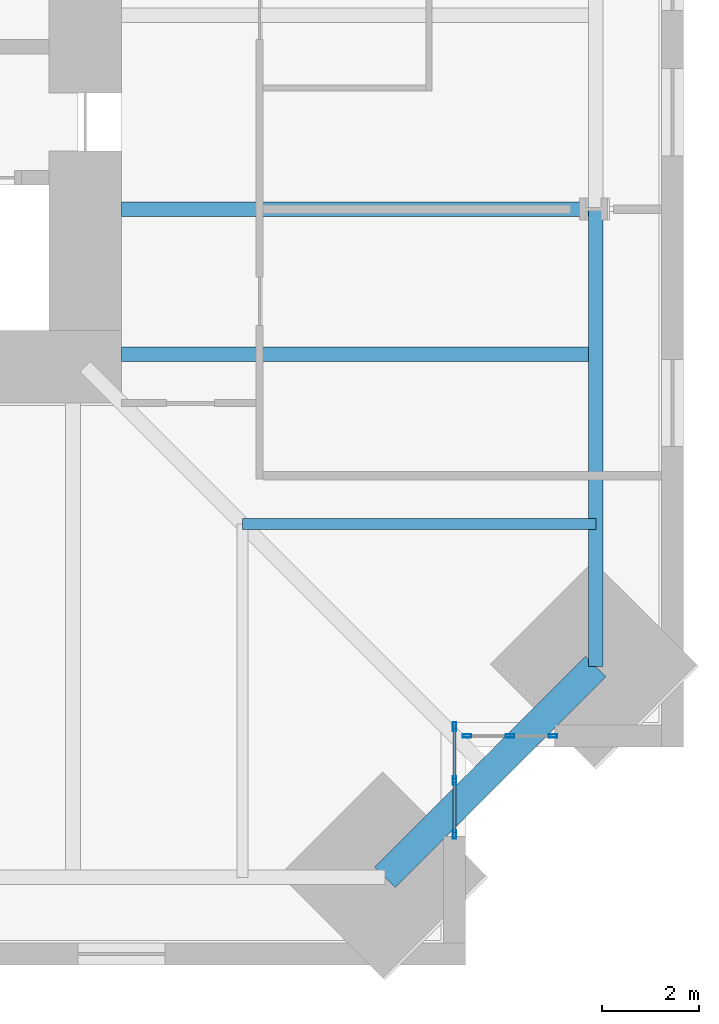
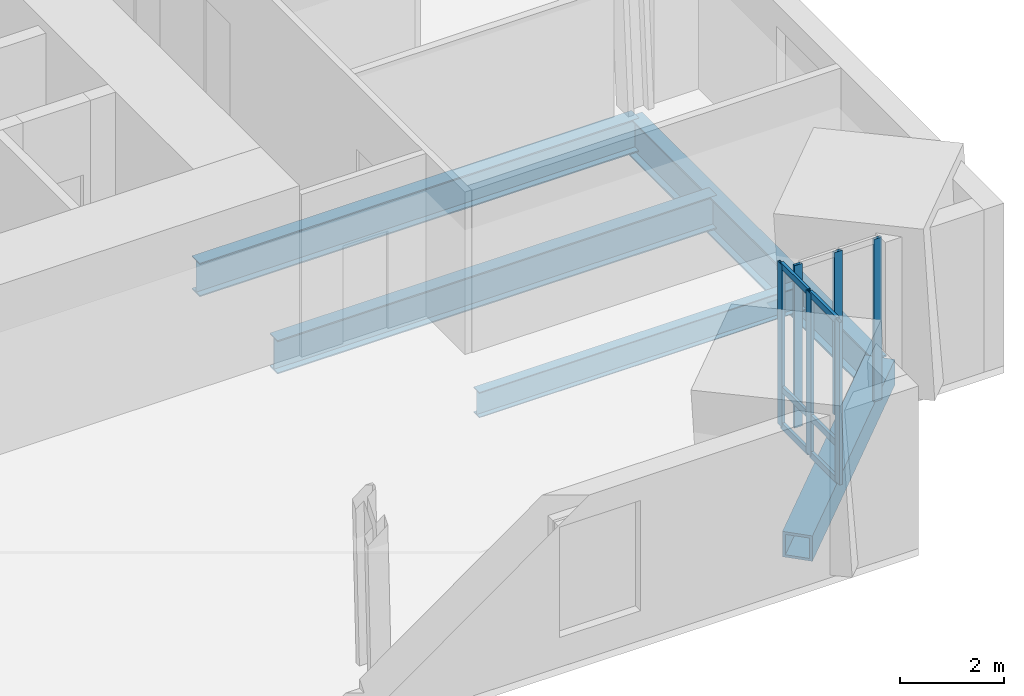
# One storey, part 4 of 15: 12 members, 5 beams, 2 elements without a shape of their own.
"""IFC4 building model written with IfcOpenShell, lengths in metres."""

import ifcopenshell
import ifcopenshell.guid

model = None  # the IFC model being written
_history = None  # IfcOwnerHistory: only IFC2X3 demands one
_inside = {}  # id of a spatial element -> (the spatial element, [elements in it])
_under = {}  # id of a project, library or spatial element -> (it, [spatial elements below it])
_declared = {}  # id of a project -> (the project, [libraries it declares])
_typed = {}  # id of a type object -> (the type object, [elements of that type])
_made_of = {}  # id of a material, layer set ... -> (it, [elements and type objects made of it])


def new_model(schema):
    """Start an empty IFC model of exactly this schema.

    Asked for "IFC4X3", IfcOpenShell would pick the latest addendum, in which some entities
    have other attributes; the version numbers below select the first issue.
    IFC2X3 requires an IfcOwnerHistory on every rooted entity: one is made here for all.
    """
    global model, _history
    if schema == "IFC4X3":
        model = ifcopenshell.file(schema_version=(4, 3, 0, 0))
    else:
        model = ifcopenshell.file(schema=schema)
    _inside.clear()
    _under.clear()
    _declared.clear()
    _typed.clear()
    _made_of.clear()
    _history = None
    if model.schema == "IFC2X3":
        org = make("IfcOrganization", Name="unknown")
        user = make(
            "IfcPersonAndOrganization",
            ThePerson=make("IfcPerson", FamilyName="unknown"),
            TheOrganization=org,
        )
        app = make(
            "IfcApplication",
            ApplicationDeveloper=org,
            Version="unknown",
            ApplicationFullName="unknown",
            ApplicationIdentifier="unknown",
        )
        _history = make(
            "IfcOwnerHistory",
            OwningUser=user,
            OwningApplication=app,
            ChangeAction="ADDED",
            CreationDate=0,
        )
    return model


def make(cls, **values):
    """One entity of the class cls with the attributes given. An attribute that is None is left unset."""
    return model.create_entity(
        cls, **{name: value for name, value in values.items() if value is not None}
    )


def rooted(cls, **values):
    """An entity with a GlobalId (a new one), such as an element, a storey or a relation."""
    return make(cls, GlobalId=ifcopenshell.guid.new(), OwnerHistory=_history, **values)


def si_unit(unit_type, name, prefix=None):
    """IfcSIUnit, for example si_unit("LENGTHUNIT", "METRE", prefix="MILLI")."""
    return make("IfcSIUnit", UnitType=unit_type, Prefix=prefix, Name=name)


def assignment(units):
    """IfcUnitAssignment: the units of a project."""
    return None if units is None else make("IfcUnitAssignment", Units=units)


def point(xyz):
    """IfcCartesianPoint."""
    return None if xyz is None else make("IfcCartesianPoint", Coordinates=xyz)


def direction(xyz):
    """IfcDirection."""
    return None if xyz is None else make("IfcDirection", DirectionRatios=xyz)


def frame(location, z_axis=None, x_axis=None):
    """IfcAxis2Placement3D, a coordinate frame: its origin and axes. An axis left out is left unset."""
    return make(
        "IfcAxis2Placement3D",
        Location=point(location),
        Axis=direction(z_axis),
        RefDirection=direction(x_axis),
    )


def frame_2d(location, x_axis=None):
    """IfcAxis2Placement2D, a coordinate frame in the plane: its origin and x axis."""
    return make(
        "IfcAxis2Placement2D", Location=point(location), RefDirection=direction(x_axis)
    )


def origin():
    """The frame at (0, 0, 0) with its axes left unset."""
    return frame((0.0, 0.0, 0.0))


def origin_2d():
    """The frame at (0, 0) in the plane with its x axis left unset."""
    return frame_2d((0.0, 0.0))


def place(relative_to, where):
    """IfcLocalPlacement: puts the frame where relative to a parent placement (None: the world)."""
    return make(
        "IfcLocalPlacement", PlacementRelTo=relative_to, RelativePlacement=where
    )


def context(
    kind, dimensions, precision=None, world=None, true_north=None, identifier=None
):
    """IfcGeometricRepresentationContext, for example the 3D "Model" context."""
    return make(
        "IfcGeometricRepresentationContext",
        ContextIdentifier=identifier,
        ContextType=kind,
        CoordinateSpaceDimension=dimensions,
        Precision=precision,
        WorldCoordinateSystem=world,
        TrueNorth=true_north,
    )


def subcontext(parent, identifier, kind, view, scale=None):
    """IfcGeometricRepresentationSubContext, for example "Body" below "Model"."""
    return make(
        "IfcGeometricRepresentationSubContext",
        ContextIdentifier=identifier,
        ContextType=kind,
        ParentContext=parent,
        TargetScale=scale,
        TargetView=view,
    )


def project(units=None, contexts=None):
    """IfcProject with its units and contexts."""
    return rooted(
        "IfcProject",
        Name="project",
        RepresentationContexts=contexts,
        UnitsInContext=assignment(units),
    )


def spatial(cls, under=None, at=None, **own):
    """A site, building, storey or space (cls), placed at a placement, below another one or the project."""
    s = rooted(cls, ObjectPlacement=at, **own)
    if under is not None:
        _under.setdefault(under.id(), (under, []))[1].append(s)
    return s


def profile(cls, at=None, kind="AREA", **sizes):
    """A parametric profile (cls). Its sizes go by their IFC names, for example OverallWidth=200.0."""
    return make(cls, ProfileType=kind, Position=at, **sizes)


def hollow_rectangle(**sizes):
    """IfcRectangleHollowProfileDef."""
    return profile("IfcRectangleHollowProfileDef", **sizes)


def i_section(**sizes):
    """IfcIShapeProfileDef."""
    return profile("IfcIShapeProfileDef", **sizes)


def extrude(swept, where, along, depth):
    """IfcExtrudedAreaSolid: the profile swept, set in the frame where, extruded along a direction by depth."""
    return make(
        "IfcExtrudedAreaSolid",
        SweptArea=swept,
        Position=where,
        ExtrudedDirection=direction(along),
        Depth=depth,
    )


def shape(context_of_items, identifier, shape_type, items):
    """IfcShapeRepresentation: the items that make up one representation, for example the "Body"."""
    return make(
        "IfcShapeRepresentation",
        ContextOfItems=context_of_items,
        RepresentationIdentifier=identifier,
        RepresentationType=shape_type,
        Items=items,
    )


def material(Name=None, Category=None):
    """IfcMaterial."""
    return make("IfcMaterial", Name=Name, Category=Category)


def material_profile(
    of_material, cross_section, Name=None, Category=None, Priority=None
):
    """IfcMaterialProfile: a cross section and its material."""
    return make(
        "IfcMaterialProfile",
        Name=Name,
        Material=of_material,
        Profile=cross_section,
        Priority=Priority,
        Category=Category,
    )


def profile_set(profiles, Name=None, composite=None):
    """IfcMaterialProfileSet."""
    return make(
        "IfcMaterialProfileSet",
        Name=Name,
        MaterialProfiles=profiles,
        CompositeProfile=composite,
    )


def made_of(thing, what):
    """Note that an element or type object is made of a material, layer set ...; save() writes the relation."""
    if what is not None:
        _made_of.setdefault(what.id(), (what, []))[1].append(thing)
    return thing


def type_object(cls, material=None, **own):
    """A type object (cls), such as IfcWallType, which elements share."""
    return made_of(rooted(cls, **own), material)


def element(
    cls,
    number,
    at=None,
    inside=None,
    cuts=None,
    type_object=None,
    material=None,
    context=None,
    identifier="Body",
    shape_type=None,
    held_by="IfcProductDefinitionShape",
    body=None,
    shapes=None,
    **own,
):
    """One element of the class cls, such as IfcWall. Its Tag is "e" and its number.

    at: its placement. inside: the storey or other place that contains it. cuts: it is an
    opening in that element (IfcRelVoidsElement). A single representation is given by context,
    identifier, shape_type and body (its items); several are given by shapes. held_by: the class
    of the entity that holds the representations. save() writes the other relations.
    """
    e = rooted(cls, Tag="e%d" % number, ObjectPlacement=at, **own)
    if body is not None:
        shapes = [shape(context, identifier, shape_type, body)]
    if shapes is not None:
        e.Representation = make(held_by, Representations=shapes)
    if inside is not None:
        _inside.setdefault(inside.id(), (inside, []))[1].append(e)
    if cuts is not None:
        rooted(
            "IfcRelVoidsElement", RelatingBuildingElement=cuts, RelatedOpeningElement=e
        )
    if type_object is not None:
        _typed.setdefault(type_object.id(), (type_object, []))[1].append(e)
    return made_of(e, material)


def aggregate(whole, parts):
    """IfcRelAggregates: a whole, such as a stair, and the parts it consists of."""
    return rooted("IfcRelAggregates", RelatingObject=whole, RelatedObjects=parts)


def save(model, path):
    """Write the relations noted so far, then the file.

    IfcRelAggregates (storeys below a building ...), IfcRelContainedInSpatialStructure (elements
    in a storey), IfcRelDefinesByType, IfcRelAssociatesMaterial and IfcRelDeclares: one each for
    every whole, place, type object, material and project.
    """
    for whole, parts in _under.values():
        aggregate(whole, parts)
    for where, things in _inside.values():
        rooted(
            "IfcRelContainedInSpatialStructure",
            RelatedElements=things,
            RelatingStructure=where,
        )
    for kind, things in _typed.values():
        rooted("IfcRelDefinesByType", RelatedObjects=things, RelatingType=kind)
    for what, things in _made_of.values():
        rooted("IfcRelAssociatesMaterial", RelatedObjects=things, RelatingMaterial=what)
    for by, libraries in _declared.values():
        rooted("IfcRelDeclares", RelatingContext=by, RelatedDefinitions=libraries)
    model.write(path)


model = new_model("IFC4")

# Units and contexts
model_context = context("Model", 3, precision=1e-05, world=origin(), true_north=direction((0.0, 1.0)))
body_context = subcontext(model_context, "Body", "Model", "MODEL_VIEW")
ifc_project = project(units=[si_unit("LENGTHUNIT", "METRE"), si_unit("AREAUNIT", "SQUARE_METRE"), si_unit("VOLUMEUNIT", "CUBIC_METRE"), si_unit("PLANEANGLEUNIT", "RADIAN"), si_unit("MASSUNIT", "GRAM", prefix="KILO")], contexts=[model_context])

# Site, building, storey
site_placement = place(None, origin())
site = spatial("IfcSite", under=ifc_project, at=site_placement, CompositionType="ELEMENT")
building_placement = place(site_placement, origin())
building = spatial("IfcBuilding", under=site, at=building_placement, Name="Peilmerk Tower", CompositionType="ELEMENT")
storey_placement = place(building_placement, frame((0.0, 0.0, 225.800048828125)))
storey = spatial("IfcBuildingStorey", under=building, at=storey_placement, Name="L49", CompositionType="ELEMENT", Elevation=225.800048828125)

# Beams
ifc_material_1 = material(Name="Steel S355", Category="steel")
ifc_material_profile_1 = material_profile(ifc_material_1, i_section(OverallWidth=0.219970703125, OverallDepth=0.60009765625, WebThickness=0.011962890625, FlangeThickness=0.01904296875, at=origin_2d()), Name="IPE 600")
ifc_profile_set_1 = profile_set([ifc_material_profile_1], Name="Steel S355")
beam_type_1 = type_object("IfcBeamType", Name="B10 IPE 600 floor beam", PredefinedType="BEAM", material=ifc_profile_set_1)
beam_1_placement = place(storey_placement, frame((14.5, -14.5, -0.469970703125), z_axis=(1.0, 0.0, 0.0), x_axis=(0.0, 1.0, 0.0)))
element("IfcBeam", 1, at=beam_1_placement, inside=storey, type_object=beam_type_1, Name="Floor beam L49", PredefinedType="BEAM", context=body_context, shape_type="SweptSolid", body=[
    extrude(i_section(OverallWidth=0.219970703125, OverallDepth=0.60009765625, WebThickness=0.011962890625, FlangeThickness=0.01904296875, at=origin_2d()), origin(), (0.0, 0.0, 1.0), 7.2919921875),
])
ifc_material_profile_2 = material_profile(ifc_material_1, i_section(OverallWidth=0.302001953125, OverallDepth=0.909912109375, WebThickness=0.02099609375, FlangeThickness=0.0400390625, at=origin_2d()), Name="HEM 900")
ifc_profile_set_2 = profile_set([ifc_material_profile_2], Name="Steel S355")
beam_type_2 = type_object("IfcBeamType", Name="B2 HEM 900 edge beam", PredefinedType="SPANDREL", material=ifc_profile_set_2)
beam_2_placement = place(storey_placement, frame((21.7919921875, -17.44189453125, -0.625), z_axis=(0.0, 1.0, 0.0), x_axis=(-1.0, 0.0, 0.0)))
element("IfcBeam", 2, at=beam_2_placement, inside=storey, type_object=beam_type_2, Name="Edge beam L49", PredefinedType="SPANDREL", context=body_context, shape_type="SweptSolid", body=[
    extrude(i_section(OverallWidth=0.302001953125, OverallDepth=0.909912109375, WebThickness=0.02099609375, FlangeThickness=0.0400390625, at=origin_2d()), origin(), (0.0, 0.0, 1.0), 9.44189453125),
])
ifc_material_2 = material(Name="Steel S460", Category="steel")
ifc_material_profile_3 = material_profile(ifc_material_2, hollow_rectangle(XDim=0.60009765625, YDim=0.60009765625, WallThickness=0.06005859375, at=origin_2d()), Name="BOX 600x600x60")
ifc_profile_set_3 = profile_set([ifc_material_profile_3], Name="Steel S460")
beam_type_3 = type_object("IfcBeamType", Name="B20 BOX 600x600x60 notch beam", PredefinedType="SPANDREL", material=ifc_profile_set_3)
beam_3_placement = place(storey_placement, frame((21.7919921875, -17.44189453125, -0.469970703125), z_axis=(-0.707106781187, -0.707106781187, 0.0), x_axis=(0.707106781187, -0.707106781187, 0.0)))
element("IfcBeam", 3, at=beam_3_placement, inside=storey, type_object=beam_type_3, Name="Notch beam L49", PredefinedType="SPANDREL", context=body_context, shape_type="SweptSolid", body=[
    extrude(hollow_rectangle(XDim=0.60009765625, YDim=0.60009765625, WallThickness=0.06005859375, at=origin_2d()), origin(), (0.0, 0.0, 1.0), 6.15185546875),
])
ifc_material_profile_4 = material_profile(ifc_material_1, i_section(OverallWidth=0.300048828125, OverallDepth=0.7900390625, WebThickness=0.014892578125, FlangeThickness=0.028076171875, at=origin_2d()), Name="HEA 800")
ifc_profile_set_4 = profile_set([ifc_material_profile_4], Name="Steel S355")
beam_type_4 = type_object("IfcBeamType", Name="B3 HEA 800 floor beam", PredefinedType="BEAM", material=ifc_profile_set_4)
for number, where, z_axis, x_axis, name in (
    (4, (12.0, -11.0, -0.56494140625), (1.0, 0.0, 0.0), (0.0, 1.0, 0.0), "Floor beam L49"),
    (5, (12.0, -8.0, -0.56494140625), (1.0, 0.0, 0.0), (0.0, 1.0, 0.0), "Floor beam L49"),
):
    element("IfcBeam", number, at=place(storey_placement, frame(where, z_axis=z_axis, x_axis=x_axis)), inside=storey, type_object=beam_type_4, Name=name, PredefinedType="BEAM", context=body_context, shape_type="SweptSolid", body=[
        extrude(i_section(OverallWidth=0.300048828125, OverallDepth=0.7900390625, WebThickness=0.014892578125, FlangeThickness=0.028076171875, at=origin_2d()), origin(), (0.0, 0.0, 1.0), 9.7919921875),
    ])

# Curtain wall, members
ifc_material_3 = material(Name="Aluminium stick curtain wall", Category="aluminium")
curtain_wall_type = type_object("IfcCurtainWallType", Name="CW4 stick curtain wall, 2250 module", PredefinedType="NOTDEFINED", material=ifc_material_3)
curtain_wall_1_placement = place(storey_placement, origin())
curtain_wall_1 = element("IfcCurtainWall", 6, at=curtain_wall_1_placement, inside=storey, type_object=curtain_wall_type, Name="Curtain wall CW4 SEA L49", PredefinedType="NOTDEFINED")
ifc_material_4 = material(Name="Aluminium EN AW-6063 T6", Category="aluminium")
ifc_material_profile_5 = material_profile(ifc_material_4, hollow_rectangle(XDim=0.06494140625, YDim=0.179931640625, WallThickness=0.0029296875, at=origin_2d()), Name="AL 180x65x3")
ifc_profile_set_5 = profile_set([ifc_material_profile_5], Name="Aluminium EN AW-6063 T6")
member_type_1 = type_object("IfcMemberType", Name="CW4-M AL 180x65x3 mullion", PredefinedType="MULLION", material=ifc_profile_set_5)
member_1_placement = place(storey_placement, frame((18.875, -18.6826171875, 0.0), z_axis=(0.0, 0.0, 1.0), x_axis=(1.0, 0.0, 0.0)))
member_1 = element("IfcMember", 7, at=member_1_placement, type_object=member_type_1, Name="CW4 mullion 1", PredefinedType="MULLION", context=body_context, shape_type="SweptSolid", body=[
    extrude(hollow_rectangle(XDim=0.06494140625, YDim=0.179931640625, WallThickness=0.0029296875, at=origin_2d()), origin(), (0.0, 0.0, 1.0), 3.829833984375),
])
member_2_placement = place(storey_placement, frame((18.875, -19.79443359375, 0.0), z_axis=(0.0, 0.0, 1.0), x_axis=(1.0, 0.0, 0.0)))
member_2 = element("IfcMember", 8, at=member_2_placement, type_object=member_type_1, Name="CW4 mullion 2", PredefinedType="MULLION", context=body_context, shape_type="SweptSolid", body=[
    extrude(hollow_rectangle(XDim=0.06494140625, YDim=0.179931640625, WallThickness=0.0029296875, at=origin_2d()), origin(), (0.0, 0.0, 1.0), 3.829833984375),
])
member_3_placement = place(storey_placement, frame((18.875, -20.90625, 0.0), z_axis=(0.0, 0.0, 1.0), x_axis=(1.0, 0.0, 0.0)))
member_3 = element("IfcMember", 9, at=member_3_placement, type_object=member_type_1, Name="CW4 mullion 3", PredefinedType="MULLION", context=body_context, shape_type="SweptSolid", body=[
    extrude(hollow_rectangle(XDim=0.06494140625, YDim=0.179931640625, WallThickness=0.0029296875, at=origin_2d()), origin(), (0.0, 0.0, 1.0), 3.829833984375),
])

curtain_wall_2_placement = place(storey_placement, origin())
curtain_wall_2 = element("IfcCurtainWall", 10, at=curtain_wall_2_placement, inside=storey, type_object=curtain_wall_type, Name="Curtain wall CW4 SEB L49", PredefinedType="NOTDEFINED")
member_4_placement = place(storey_placement, frame((19.132568359375, -18.875, 0.0), z_axis=(0.0, 0.0, 1.0), x_axis=(0.0, 1.0, 0.0)))
member_4 = element("IfcMember", 11, at=member_4_placement, type_object=member_type_1, Name="CW4 mullion 1", PredefinedType="MULLION", context=body_context, shape_type="SweptSolid", body=[
    extrude(hollow_rectangle(XDim=0.06494140625, YDim=0.179931640625, WallThickness=0.0029296875, at=origin_2d()), origin(), (0.0, 0.0, 1.0), 3.829833984375),
])
member_5_placement = place(storey_placement, frame((20.019287109375, -18.875, 0.0), z_axis=(0.0, 0.0, 1.0), x_axis=(0.0, 1.0, 0.0)))
member_5 = element("IfcMember", 12, at=member_5_placement, type_object=member_type_1, Name="CW4 mullion 2", PredefinedType="MULLION", context=body_context, shape_type="SweptSolid", body=[
    extrude(hollow_rectangle(XDim=0.06494140625, YDim=0.179931640625, WallThickness=0.0029296875, at=origin_2d()), origin(), (0.0, 0.0, 1.0), 3.829833984375),
])
member_6_placement = place(storey_placement, frame((20.90625, -18.875, 0.0), z_axis=(0.0, 0.0, 1.0), x_axis=(0.0, 1.0, 0.0)))
member_6 = element("IfcMember", 13, at=member_6_placement, type_object=member_type_1, Name="CW4 mullion 3", PredefinedType="MULLION", context=body_context, shape_type="SweptSolid", body=[
    extrude(hollow_rectangle(XDim=0.06494140625, YDim=0.179931640625, WallThickness=0.0029296875, at=origin_2d()), origin(), (0.0, 0.0, 1.0), 3.829833984375),
])
aggregate(curtain_wall_2, [member_4, member_5, member_6])

# Member
ifc_material_profile_6 = material_profile(ifc_material_4, hollow_rectangle(XDim=0.06494140625, YDim=0.14990234375, WallThickness=0.0029296875, at=origin_2d()), Name="AL 150x65x3")
ifc_profile_set_6 = profile_set([ifc_material_profile_6], Name="Aluminium EN AW-6063 T6")
member_type_2 = type_object("IfcMemberType", Name="CW4-T AL 150x65x3 transom", PredefinedType="USERDEFINED", material=ifc_profile_set_6)
member_7_placement = place(storey_placement, frame((18.875, -18.715087890625, 0.032470703125), z_axis=(0.0, -1.0, 0.0), x_axis=(1.0, 0.0, 0.0)))
member_7 = element("IfcMember", 14, at=member_7_placement, type_object=member_type_2, Name="CW4 transom 1.1", ObjectType="TRANSOM", PredefinedType="USERDEFINED", context=body_context, shape_type="SweptSolid", body=[
    extrude(hollow_rectangle(XDim=0.06494140625, YDim=0.14990234375, WallThickness=0.0029296875, at=origin_2d()), origin(), (0.0, 0.0, 1.0), 1.046630859375),
])

member_8_placement = place(storey_placement, frame((18.875, -18.715087890625, 0.89990234375), z_axis=(0.0, -1.0, 0.0), x_axis=(1.0, 0.0, 0.0)))
member_8 = element("IfcMember", 15, at=member_8_placement, type_object=member_type_2, Name="CW4 transom 1.2", ObjectType="TRANSOM", PredefinedType="USERDEFINED", context=body_context, shape_type="SweptSolid", body=[
    extrude(hollow_rectangle(XDim=0.06494140625, YDim=0.14990234375, WallThickness=0.0029296875, at=origin_2d()), origin(), (0.0, 0.0, 1.0), 1.046630859375),
])

member_9_placement = place(storey_placement, frame((18.875, -18.715087890625, 3.79736328125), z_axis=(0.0, -1.0, 0.0), x_axis=(1.0, 0.0, 0.0)))
member_9 = element("IfcMember", 16, at=member_9_placement, type_object=member_type_2, Name="CW4 transom 1.3", ObjectType="TRANSOM", PredefinedType="USERDEFINED", context=body_context, shape_type="SweptSolid", body=[
    extrude(hollow_rectangle(XDim=0.06494140625, YDim=0.14990234375, WallThickness=0.0029296875, at=origin_2d()), origin(), (0.0, 0.0, 1.0), 1.046630859375),
])

member_10_placement = place(storey_placement, frame((18.875, -19.826904296875, 0.032470703125), z_axis=(0.0, -1.0, 0.0), x_axis=(1.0, 0.0, 0.0)))
member_10 = element("IfcMember", 17, at=member_10_placement, type_object=member_type_2, Name="CW4 transom 2.1", ObjectType="TRANSOM", PredefinedType="USERDEFINED", context=body_context, shape_type="SweptSolid", body=[
    extrude(hollow_rectangle(XDim=0.06494140625, YDim=0.14990234375, WallThickness=0.0029296875, at=origin_2d()), origin(), (0.0, 0.0, 1.0), 1.046875),
])

member_11_placement = place(storey_placement, frame((18.875, -19.826904296875, 0.89990234375), z_axis=(0.0, -1.0, 0.0), x_axis=(1.0, 0.0, 0.0)))
member_11 = element("IfcMember", 18, at=member_11_placement, type_object=member_type_2, Name="CW4 transom 2.2", ObjectType="TRANSOM", PredefinedType="USERDEFINED", context=body_context, shape_type="SweptSolid", body=[
    extrude(hollow_rectangle(XDim=0.06494140625, YDim=0.14990234375, WallThickness=0.0029296875, at=origin_2d()), origin(), (0.0, 0.0, 1.0), 1.046875),
])

member_12_placement = place(storey_placement, frame((18.875, -19.826904296875, 3.79736328125), z_axis=(0.0, -1.0, 0.0), x_axis=(1.0, 0.0, 0.0)))
member_12 = element("IfcMember", 19, at=member_12_placement, type_object=member_type_2, Name="CW4 transom 2.3", ObjectType="TRANSOM", PredefinedType="USERDEFINED", context=body_context, shape_type="SweptSolid", body=[
    extrude(hollow_rectangle(XDim=0.06494140625, YDim=0.14990234375, WallThickness=0.0029296875, at=origin_2d()), origin(), (0.0, 0.0, 1.0), 1.046875),
])

aggregate(curtain_wall_1, [member_1, member_2, member_3, member_7, member_8, member_9, member_10, member_11, member_12])

save(model, "model.ifc")
